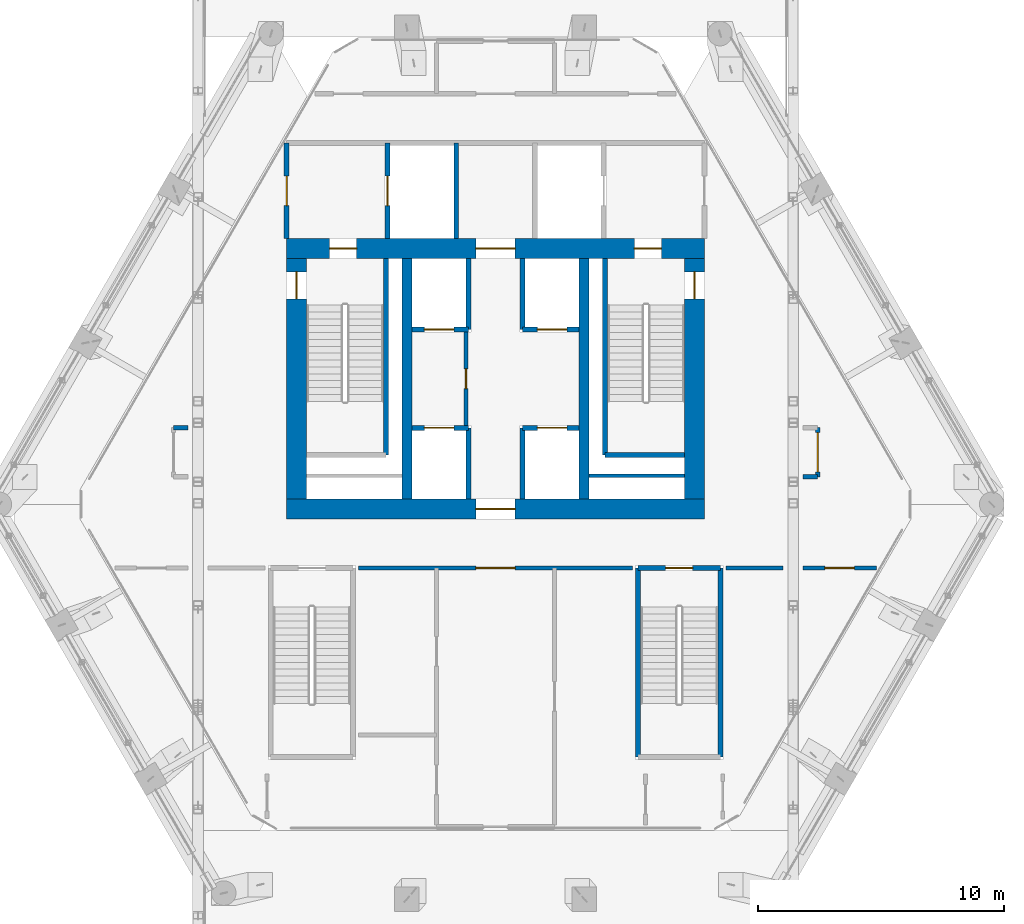
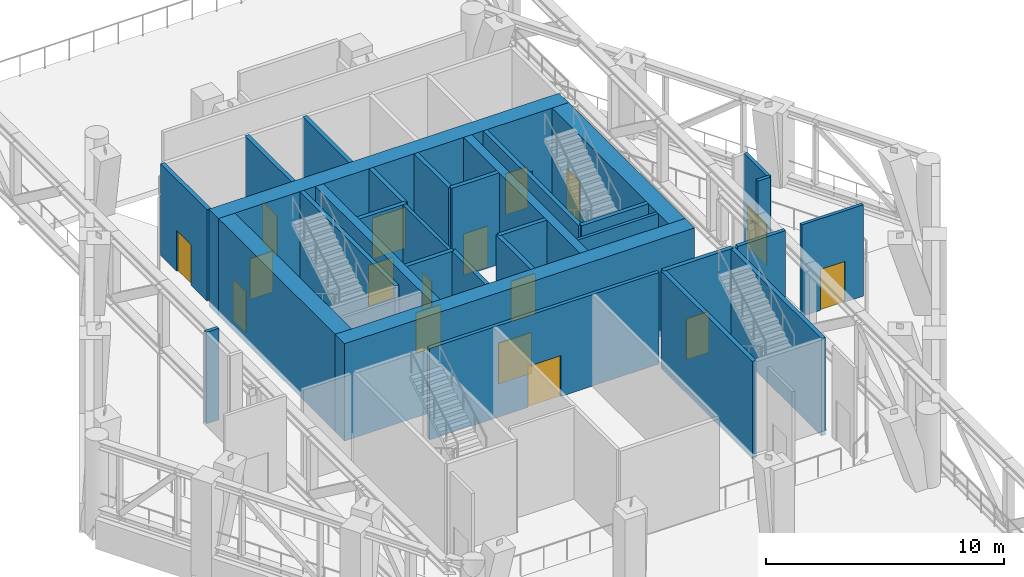
# One storey, part 10 of 22: 31 walls, 17 doors, 17 openings.
"""IFC4 building model written with IfcOpenShell, lengths in metres."""

from ifc_helpers import new_model, si_unit, direction, frame, frame_2d, origin, place, context, subcontext, project, spatial, rectangle, extrude, material, layer, layer_set, type_object, element, fill, save


model = new_model("IFC4")

# Units and contexts
model_context = context("Model", 3, precision=1e-05, world=origin(), true_north=direction((0.0, 1.0)))
body_context = subcontext(model_context, "Body", "Model", "MODEL_VIEW")
ifc_project = project(units=[si_unit("LENGTHUNIT", "METRE"), si_unit("AREAUNIT", "SQUARE_METRE"), si_unit("VOLUMEUNIT", "CUBIC_METRE"), si_unit("PLANEANGLEUNIT", "RADIAN"), si_unit("MASSUNIT", "GRAM", prefix="KILO")], contexts=[model_context])

# Site, building, storey
site_placement = place(None, origin())
site = spatial("IfcSite", under=ifc_project, at=site_placement, CompositionType="ELEMENT")
building_placement = place(site_placement, origin())
building = spatial("IfcBuilding", under=site, at=building_placement, Name="Ostrander Bayou Hotel Tower", CompositionType="ELEMENT")
storey_placement = place(building_placement, frame((0.0, 0.0, 209.5)))
storey = spatial("IfcBuildingStorey", under=building, at=storey_placement, Name="L52", CompositionType="ELEMENT", Elevation=209.5)

# Wall, opening, door
ifc_material_1 = material(Name="Concrete f'c 60 MPa", Category="concrete")
ifc_layer_1 = layer(ifc_material_1, 0.800048828125)
ifc_layer_set_1 = layer_set([ifc_layer_1], Name="CW7 core wall 800 mm f'c 60 MPa")
wall_type_1 = type_object("IfcWallType", Name="CW7 core wall 800 mm f'c 60 MPa", PredefinedType="SHEAR", material=ifc_layer_set_1)
wall_1_placement = place(storey_placement, frame((-8.5, -1.300048828125, -0.300048828125), z_axis=(0.0, 0.0, 1.0), x_axis=(1.0, 0.0, 0.0)))
wall_1 = element("IfcWall", 1, at=wall_1_placement, inside=storey, type_object=wall_type_1, Name="CW7 L52 S", PredefinedType="SHEAR", context=body_context, shape_type="SweptSolid", body=[
    extrude(rectangle(XDim=17.0, YDim=0.800048828125, at=frame_2d((8.5, 0.0))), origin(), (0.0, 0.0, 1.0), 5.0),
])
opening_1_placement = place(wall_1_placement, frame((7.699951171875, 0.0, 0.0)))
opening_1 = element("IfcOpeningElement", 2, at=opening_1_placement, cuts=wall_1, Name="Opening T52-005", PredefinedType="OPENING", context=body_context, shape_type="SweptSolid", body=[
    extrude(rectangle(XDim=1.60009765625, YDim=2.10009765625, at=frame_2d((0.800048828125, 1.050048828125))), frame((0.0, 0.39990234375, 0.0), z_axis=(0.0, -1.0, 0.0), x_axis=(1.0, 0.0, 0.0)), (0.0, 0.0, 1.0), 0.800048828125),
])
ifc_material_2 = material(Name="Timber door leaf", Category="wood")
door_type_1 = type_object("IfcDoorType", Name="D13 double door 1600 x 2100 mm, 1 hour", OperationType="SINGLE_SWING_LEFT", PredefinedType="DOOR", material=ifc_material_2)
door_1_placement = place(opening_1_placement, origin())
door_1 = element("IfcDoor", 3, at=door_1_placement, inside=storey, type_object=door_type_1, Name="dr:L52:005", OperationType="DOUBLE_DOOR_SINGLE_SWING", OverallHeight=2.10009765625, OverallWidth=1.60009765625, PredefinedType="DOOR", context=body_context, shape_type="SweptSolid", body=[
    extrude(rectangle(XDim=1.60009765625, YDim=2.10009765625, at=frame_2d((0.800048828125, 1.050048828125))), frame((0.0, 0.02490234375, 0.0), z_axis=(0.0, -1.0, 0.0), x_axis=(1.0, 0.0, 0.0)), (0.0, 0.0, 1.0), 0.050048828125),
])
fill(opening_1, door_1)

# Wall, openings, doors
wall_2_placement = place(storey_placement, frame((-8.5, 9.300048828125, -0.300048828125), z_axis=(0.0, 0.0, 1.0), x_axis=(1.0, 0.0, 0.0)))
wall_2 = element("IfcWall", 4, at=wall_2_placement, inside=storey, type_object=wall_type_1, Name="CW7 L52 N", PredefinedType="SHEAR", context=body_context, shape_type="SweptSolid", body=[
    extrude(rectangle(XDim=17.0, YDim=0.800048828125, at=frame_2d((8.5, 0.0))), origin(), (0.0, 0.0, 1.0), 5.0),
])
opening_2_placement = place(wall_2_placement, frame((7.699951171875, 0.0, 0.0)))
opening_2 = element("IfcOpeningElement", 5, at=opening_2_placement, cuts=wall_2, Name="Opening T52-006", PredefinedType="OPENING", context=body_context, shape_type="SweptSolid", body=[
    extrude(rectangle(XDim=1.60009765625, YDim=2.10009765625, at=frame_2d((0.800048828125, 1.050048828125))), frame((0.0, 0.39990234375, 0.0), z_axis=(0.0, -1.0, 0.0), x_axis=(1.0, 0.0, 0.0)), (0.0, 0.0, 1.0), 0.800048828125),
])
opening_3_placement = place(wall_2_placement, frame((1.75, 0.0, 0.0)))
opening_3 = element("IfcOpeningElement", 6, at=opening_3_placement, cuts=wall_2, Name="Opening T52-007", PredefinedType="OPENING", context=body_context, shape_type="SweptSolid", body=[
    extrude(rectangle(XDim=1.10009765625, YDim=2.10009765625, at=frame_2d((0.550048828125, 1.050048828125))), frame((0.0, 0.39990234375, 0.0), z_axis=(0.0, -1.0, 0.0), x_axis=(1.0, 0.0, 0.0)), (0.0, 0.0, 1.0), 0.800048828125),
])
opening_4_placement = place(wall_2_placement, frame((14.14990234375, 0.0, 0.0)))
opening_4 = element("IfcOpeningElement", 7, at=opening_4_placement, cuts=wall_2, Name="Opening T52-009", PredefinedType="OPENING", context=body_context, shape_type="SweptSolid", body=[
    extrude(rectangle(XDim=1.10009765625, YDim=2.10009765625, at=frame_2d((0.550048828125, 1.050048828125))), frame((0.0, 0.39990234375, 0.0), z_axis=(0.0, -1.0, 0.0), x_axis=(1.0, 0.0, 0.0)), (0.0, 0.0, 1.0), 0.800048828125),
])
door_2_placement = place(opening_2_placement, origin())
door_2 = element("IfcDoor", 8, at=door_2_placement, inside=storey, type_object=door_type_1, Name="dr:L52:006", OperationType="DOUBLE_DOOR_SINGLE_SWING", OverallHeight=2.10009765625, OverallWidth=1.60009765625, PredefinedType="DOOR", context=body_context, shape_type="SweptSolid", body=[
    extrude(rectangle(XDim=1.60009765625, YDim=2.10009765625, at=frame_2d((0.800048828125, 1.050048828125))), frame((0.0, 0.02490234375, 0.0), z_axis=(0.0, -1.0, 0.0), x_axis=(1.0, 0.0, 0.0)), (0.0, 0.0, 1.0), 0.050048828125),
])
fill(opening_2, door_2)
ifc_material_3 = material(Name="Timber door leaf", Category="wood")
door_type_2 = type_object("IfcDoorType", Name="D5 stair door 1100 x 2100 mm, 90 minute", OperationType="SINGLE_SWING_LEFT", PredefinedType="DOOR", material=ifc_material_3)
door_3_placement = place(opening_3_placement, origin())
door_3 = element("IfcDoor", 9, at=door_3_placement, inside=storey, type_object=door_type_2, Name="dr:L52:007", OperationType="SINGLE_SWING_LEFT", OverallHeight=2.10009765625, OverallWidth=1.10009765625, PredefinedType="DOOR", context=body_context, shape_type="SweptSolid", body=[
    extrude(rectangle(XDim=1.10009765625, YDim=2.10009765625, at=frame_2d((0.550048828125, 1.050048828125))), frame((0.0, 0.02490234375, 0.0), z_axis=(0.0, -1.0, 0.0), x_axis=(1.0, 0.0, 0.0)), (0.0, 0.0, 1.0), 0.050048828125),
])
fill(opening_3, door_3)
door_4_placement = place(opening_4_placement, origin())
door_4 = element("IfcDoor", 10, at=door_4_placement, inside=storey, type_object=door_type_2, Name="dr:L52:009", OperationType="SINGLE_SWING_RIGHT", OverallHeight=2.10009765625, OverallWidth=1.10009765625, PredefinedType="DOOR", context=body_context, shape_type="SweptSolid", body=[
    extrude(rectangle(XDim=1.10009765625, YDim=2.10009765625, at=frame_2d((0.550048828125, 1.050048828125))), frame((0.0, 0.02490234375, 0.0), z_axis=(0.0, -1.0, 0.0), x_axis=(1.0, 0.0, 0.0)), (0.0, 0.0, 1.0), 0.050048828125),
])
fill(opening_4, door_4)

# Wall, opening, door
ifc_material_4 = material(Name="Concrete f'c 60 MPa", Category="concrete")
ifc_layer_2 = layer(ifc_material_4, 0.800048828125)
ifc_layer_set_2 = layer_set([ifc_layer_2], Name="CW8 core spine wall 800 mm f'c 60 MPa")
wall_type_2 = type_object("IfcWallType", Name="CW8 core spine wall 800 mm f'c 60 MPa", PredefinedType="SHEAR", material=ifc_layer_set_2)
wall_3_placement = place(storey_placement, frame((-8.10009765625, -0.89990234375, -0.300048828125), z_axis=(0.0, 0.0, 1.0), x_axis=(0.0, 1.0, 0.0)))
wall_3 = element("IfcWall", 11, at=wall_3_placement, inside=storey, type_object=wall_type_2, Name="CW8 L52 W", PredefinedType="SHEAR", context=body_context, shape_type="SweptSolid", body=[
    extrude(rectangle(XDim=9.7998046875, YDim=0.800048828125, at=frame_2d((4.89990234375, 0.0))), origin(), (0.0, 0.0, 1.0), 5.0),
])
opening_5_placement = place(wall_3_placement, frame((8.14990234375, 0.0, 0.0)))
opening_5 = element("IfcOpeningElement", 12, at=opening_5_placement, cuts=wall_3, Name="Opening T52-008", PredefinedType="OPENING", context=body_context, shape_type="SweptSolid", body=[
    extrude(rectangle(XDim=1.10009765625, YDim=2.10009765625, at=frame_2d((0.550048828125, 1.050048828125))), frame((0.0, 0.39990234375, 0.0), z_axis=(0.0, -1.0, 0.0), x_axis=(1.0, 0.0, 0.0)), (0.0, 0.0, 1.0), 0.800048828125),
])
door_5_placement = place(opening_5_placement, origin())
door_5 = element("IfcDoor", 13, at=door_5_placement, inside=storey, type_object=door_type_2, Name="dr:L52:008", OperationType="SINGLE_SWING_RIGHT", OverallHeight=2.10009765625, OverallWidth=1.10009765625, PredefinedType="DOOR", context=body_context, shape_type="SweptSolid", body=[
    extrude(rectangle(XDim=1.10009765625, YDim=2.10009765625, at=frame_2d((0.550048828125, 1.050048828125))), frame((0.0, 0.02490234375, 0.0), z_axis=(0.0, -1.0, 0.0), x_axis=(1.0, 0.0, 0.0)), (0.0, 0.0, 1.0), 0.050048828125),
])
fill(opening_5, door_5)

wall_4_placement = place(storey_placement, frame((8.10009765625, -0.89990234375, -0.300048828125), z_axis=(0.0, 0.0, 1.0), x_axis=(0.0, 1.0, 0.0)))
wall_4 = element("IfcWall", 14, at=wall_4_placement, inside=storey, type_object=wall_type_2, Name="CW8 L52 E", PredefinedType="SHEAR", context=body_context, shape_type="SweptSolid", body=[
    extrude(rectangle(XDim=9.7998046875, YDim=0.800048828125, at=frame_2d((4.89990234375, 0.0))), origin(), (0.0, 0.0, 1.0), 5.0),
])
opening_6_placement = place(wall_4_placement, frame((8.14990234375, 0.0, 0.0)))
opening_6 = element("IfcOpeningElement", 15, at=opening_6_placement, cuts=wall_4, Name="Opening T52-010", PredefinedType="OPENING", context=body_context, shape_type="SweptSolid", body=[
    extrude(rectangle(XDim=1.10009765625, YDim=2.10009765625, at=frame_2d((0.550048828125, 1.050048828125))), frame((0.0, 0.39990234375, 0.0), z_axis=(0.0, -1.0, 0.0), x_axis=(1.0, 0.0, 0.0)), (0.0, 0.0, 1.0), 0.800048828125),
])
door_6_placement = place(opening_6_placement, origin())
door_6 = element("IfcDoor", 16, at=door_6_placement, inside=storey, type_object=door_type_2, Name="dr:L52:010", OperationType="SINGLE_SWING_LEFT", OverallHeight=2.10009765625, OverallWidth=1.10009765625, PredefinedType="DOOR", context=body_context, shape_type="SweptSolid", body=[
    extrude(rectangle(XDim=1.10009765625, YDim=2.10009765625, at=frame_2d((0.550048828125, 1.050048828125))), frame((0.0, 0.02490234375, 0.0), z_axis=(0.0, -1.0, 0.0), x_axis=(1.0, 0.0, 0.0)), (0.0, 0.0, 1.0), 0.050048828125),
])
fill(opening_6, door_6)

# Walls
ifc_material_5 = material(Name="Concrete f'c 60 MPa", Category="concrete")
ifc_layer_3 = layer(ifc_material_5, 0.39990234375)
ifc_layer_set_3 = layer_set([ifc_layer_3], Name="CW9 core bank wall 400 mm f'c 60 MPa")
wall_type_3 = type_object("IfcWallType", Name="CW9 core bank wall 400 mm f'c 60 MPa", PredefinedType="SHEAR", material=ifc_layer_set_3)
for number, where, z_axis, x_axis, name in (
    (17, (-3.60009765625, -0.89990234375, -0.300048828125), (0.0, 0.0, 1.0), (0.0, 1.0, 0.0), "CW9 L52 CW"),
    (18, (3.60009765625, -0.89990234375, -0.300048828125), (0.0, 0.0, 1.0), (0.0, 1.0, 0.0), "CW9 L52 CE"),
):
    element("IfcWall", number, at=place(storey_placement, frame(where, z_axis=z_axis, x_axis=x_axis)), inside=storey, type_object=wall_type_3, Name=name, PredefinedType="SHEAR", context=body_context, shape_type="SweptSolid", body=[
        extrude(rectangle(XDim=9.7998046875, YDim=0.39990234375, at=frame_2d((4.89990234375, 0.0))), origin(), (0.0, 0.0, 1.0), 5.0),
    ])

# Wall, opening, door
ifc_material_6 = material(Name="Gypsum board partition", Category="finish")
ifc_layer_4 = layer(ifc_material_6, 0.175048828125)
ifc_layer_set_4 = layer_set([ifc_layer_4], Name="PT4 corridor wall 175 mm, 1 hour")
wall_type_4 = type_object("IfcWallType", Name="PT4 corridor wall 175 mm, 1 hour", PredefinedType="PARTITIONING", material=ifc_layer_set_4)
wall_5_placement = place(storey_placement, frame((-5.570068359375, -3.699951171875, 0.0), z_axis=(0.0, 0.0, 1.0), x_axis=(1.0, 0.0, 0.0)))
wall_5 = element("IfcWall", 19, at=wall_5_placement, inside=storey, type_object=wall_type_4, Name="sw:L52:002", PredefinedType="PARTITIONING", context=body_context, shape_type="SweptSolid", body=[
    extrude(rectangle(XDim=11.14013671875, YDim=0.175048828125, at=frame_2d((5.570068359375, 0.0))), origin(), (0.0, 0.0, 1.0), 4.699951171875),
])
opening_7_placement = place(wall_5_placement, frame((4.77001953125, 0.0, 0.0)))
opening_7 = element("IfcOpeningElement", 20, at=opening_7_placement, cuts=wall_5, Name="Opening T52-200", PredefinedType="OPENING", context=body_context, shape_type="SweptSolid", body=[
    extrude(rectangle(XDim=1.60009765625, YDim=2.10009765625, at=frame_2d((0.800048828125, 1.050048828125))), frame((0.0, 0.08740234375, 0.0), z_axis=(0.0, -1.0, 0.0), x_axis=(1.0, 0.0, 0.0)), (0.0, 0.0, 1.0), 0.175048828125),
])
door_7_placement = place(opening_7_placement, origin())
door_7 = element("IfcDoor", 21, at=door_7_placement, inside=storey, type_object=door_type_1, Name="dr:L52:200", OperationType="DOUBLE_DOOR_SINGLE_SWING", OverallHeight=2.10009765625, OverallWidth=1.60009765625, PredefinedType="DOOR", context=body_context, shape_type="SweptSolid", body=[
    extrude(rectangle(XDim=1.60009765625, YDim=2.10009765625, at=frame_2d((0.800048828125, 1.050048828125))), frame((0.0, 0.02490234375, 0.0), z_axis=(0.0, -1.0, 0.0), x_axis=(1.0, 0.0, 0.0)), (0.0, 0.0, 1.0), 0.050048828125),
])
fill(opening_7, door_7)

# Walls
wall_6_placement = place(storey_placement, frame((9.3798828125, -3.699951171875, 0.0), z_axis=(0.0, 0.0, 1.0), x_axis=(1.0, 0.0, 0.0)))
element("IfcWall", 22, at=wall_6_placement, inside=storey, type_object=wall_type_4, Name="sw:L52:003", PredefinedType="PARTITIONING", context=body_context, shape_type="SweptSolid", body=[
    extrude(rectangle(XDim=2.330078125, YDim=0.175048828125, at=frame_2d((1.1650390625, 0.0))), origin(), (0.0, 0.0, 1.0), 4.699951171875),
])
for number, where, z_axis, x_axis, name in (
    (23, (12.510009765625, 0.010009765625, 0.0), (0.0, 0.0, 1.0), (1.0, 0.0, 0.0), "sw:L52:005"),
    (24, (-13.110107421875, 2.010009765625, 0.0), (0.0, 0.0, 1.0), (1.0, 0.0, 0.0), "sw:L52:006"),
):
    element("IfcWall", number, at=place(storey_placement, frame(where, z_axis=z_axis, x_axis=x_axis)), inside=storey, type_object=wall_type_4, Name=name, PredefinedType="PARTITIONING", context=body_context, shape_type="SweptSolid", body=[
        extrude(rectangle(XDim=0.60009765625, YDim=0.175048828125, at=frame_2d((0.300048828125, 0.0))), origin(), (0.0, 0.0, 1.0), 4.699951171875),
    ])

# Wall, opening, door
wall_7_placement = place(storey_placement, frame((13.110107421875, 0.010498046875, 0.0), z_axis=(0.0, 0.0, 1.0), x_axis=(0.0, 1.0, 0.0)))
wall_7 = element("IfcWall", 25, at=wall_7_placement, inside=storey, type_object=wall_type_4, Name="sw:L52:014", PredefinedType="PARTITIONING", context=body_context, shape_type="SweptSolid", body=[
    extrude(rectangle(XDim=2.0, YDim=0.175048828125, at=frame_2d((1.0, 0.0))), origin(), (0.0, 0.0, 1.0), 4.699951171875),
])
opening_8_placement = place(wall_7_placement, frame((0.199951171875, 0.0, 0.0)))
opening_8 = element("IfcOpeningElement", 26, at=opening_8_placement, cuts=wall_7, Name="Opening T52-203", PredefinedType="OPENING", context=body_context, shape_type="SweptSolid", body=[
    extrude(rectangle(XDim=1.60009765625, YDim=2.10009765625, at=frame_2d((0.800048828125, 1.050048828125))), frame((0.0, 0.08740234375, 0.0), z_axis=(0.0, -1.0, 0.0), x_axis=(1.0, 0.0, 0.0)), (0.0, 0.0, 1.0), 0.175048828125),
])
door_8_placement = place(opening_8_placement, origin())
door_8 = element("IfcDoor", 27, at=door_8_placement, inside=storey, type_object=door_type_1, Name="dr:L52:203", OperationType="DOUBLE_DOOR_SINGLE_SWING", OverallHeight=2.10009765625, OverallWidth=1.60009765625, PredefinedType="DOOR", context=body_context, shape_type="SweptSolid", body=[
    extrude(rectangle(XDim=1.60009765625, YDim=2.10009765625, at=frame_2d((0.800048828125, 1.050048828125))), frame((0.0, 0.02490234375, 0.0), z_axis=(0.0, -1.0, 0.0), x_axis=(1.0, 0.0, 0.0)), (0.0, 0.0, 1.0), 0.050048828125),
])
fill(opening_8, door_8)

ifc_material_7 = material(Name="Masonry block", Category="masonry")
ifc_layer_5 = layer(ifc_material_7, 0.199951171875)
ifc_layer_set_5 = layer_set([ifc_layer_5], Name="PT5 stair enclosure wall 200 mm masonry, 2 hour")
wall_type_5 = type_object("IfcWallType", Name="PT5 stair enclosure wall 200 mm masonry, 2 hour", PredefinedType="PARTITIONING", material=ifc_layer_set_5)
wall_8_placement = place(storey_placement, frame((-8.5, 9.699951171875, 0.0), z_axis=(0.0, 0.0, 1.0), x_axis=(0.0, 1.0, 0.0)))
wall_8 = element("IfcWall", 28, at=wall_8_placement, inside=storey, type_object=wall_type_5, Name="cs:L52:024", PredefinedType="PARTITIONING", context=body_context, shape_type="SweptSolid", body=[
    extrude(rectangle(XDim=3.900146484375, YDim=0.199951171875, at=frame_2d((1.9501953125, 0.0))), origin(), (0.0, 0.0, 1.0), 4.699951171875),
])
opening_9_placement = place(wall_8_placement, frame((1.35009765625, 0.0, 0.0)))
opening_9 = element("IfcOpeningElement", 29, at=opening_9_placement, cuts=wall_8, Name="Opening T52-014", PredefinedType="OPENING", context=body_context, shape_type="SweptSolid", body=[
    extrude(rectangle(XDim=1.199951171875, YDim=2.10009765625, at=frame_2d((0.60009765625, 1.050048828125))), frame((0.0, 0.10009765625, 0.0), z_axis=(0.0, -1.0, 0.0), x_axis=(1.0, 0.0, 0.0)), (0.0, 0.0, 1.0), 0.199951171875),
])
ifc_material_8 = material(Name="Timber door leaf", Category="wood")
door_type_3 = type_object("IfcDoorType", Name="D7 lobby door 1200 x 2100 mm, 1 hour", OperationType="SINGLE_SWING_LEFT", PredefinedType="DOOR", material=ifc_material_8)
door_9_placement = place(opening_9_placement, origin())
door_9 = element("IfcDoor", 30, at=door_9_placement, inside=storey, type_object=door_type_3, Name="dr:L52:014", OperationType="SINGLE_SWING_LEFT", OverallHeight=2.10009765625, OverallWidth=1.199951171875, PredefinedType="DOOR", context=body_context, shape_type="SweptSolid", body=[
    extrude(rectangle(XDim=1.199951171875, YDim=2.10009765625, at=frame_2d((0.60009765625, 1.050048828125))), frame((0.0, 0.02490234375, 0.0), z_axis=(0.0, -1.0, 0.0), x_axis=(1.0, 0.0, 0.0)), (0.0, 0.0, 1.0), 0.050048828125),
])
fill(opening_9, door_9)

wall_9_placement = place(storey_placement, frame((-4.39990234375, 9.699951171875, 0.0), z_axis=(0.0, 0.0, 1.0), x_axis=(0.0, 1.0, 0.0)))
wall_9 = element("IfcWall", 31, at=wall_9_placement, inside=storey, type_object=wall_type_5, Name="cs:L52:026", PredefinedType="PARTITIONING", context=body_context, shape_type="SweptSolid", body=[
    extrude(rectangle(XDim=3.900146484375, YDim=0.199951171875, at=frame_2d((1.9501953125, 0.0))), origin(), (0.0, 0.0, 1.0), 4.699951171875),
])
opening_10_placement = place(wall_9_placement, frame((1.35009765625, 0.0, 0.0)))
opening_10 = element("IfcOpeningElement", 32, at=opening_10_placement, cuts=wall_9, Name="Opening T52-013", PredefinedType="OPENING", context=body_context, shape_type="SweptSolid", body=[
    extrude(rectangle(XDim=1.199951171875, YDim=2.10009765625, at=frame_2d((0.60009765625, 1.050048828125))), frame((0.0, 0.10009765625, 0.0), z_axis=(0.0, -1.0, 0.0), x_axis=(1.0, 0.0, 0.0)), (0.0, 0.0, 1.0), 0.199951171875),
])
ifc_material_9 = material(Name="Stainless steel sliding door", Category="steel")
door_type_4 = type_object("IfcDoorType", Name="LD1 lift landing door 1200 x 2100 mm", OperationType="SINGLE_SWING_LEFT", PredefinedType="DOOR", material=ifc_material_9)
door_10_placement = place(opening_10_placement, origin())
door_10 = element("IfcDoor", 33, at=door_10_placement, inside=storey, type_object=door_type_4, Name="dr:L52:013", OperationType="SLIDING_TO_LEFT", OverallHeight=2.10009765625, OverallWidth=1.199951171875, PredefinedType="DOOR", context=body_context, shape_type="SweptSolid", body=[
    extrude(rectangle(XDim=1.199951171875, YDim=2.10009765625, at=frame_2d((0.60009765625, 1.050048828125))), frame((0.0, 0.02490234375, 0.0), z_axis=(0.0, -1.0, 0.0), x_axis=(1.0, 0.0, 0.0)), (0.0, 0.0, 1.0), 0.050048828125),
])
fill(opening_10, door_10)

ifc_material_10 = material(Name="Masonry block", Category="masonry")
ifc_layer_6 = layer(ifc_material_10, 0.199951171875)
ifc_layer_set_6 = layer_set([ifc_layer_6], Name="PT6 lift shaft wall 200 mm masonry, 2 hour")
wall_type_6 = type_object("IfcWallType", Name="PT6 lift shaft wall 200 mm masonry, 2 hour", PredefinedType="PARTITIONING", material=ifc_layer_set_6)
wall_10_placement = place(storey_placement, frame((-3.39990234375, 2.0, 0.0), z_axis=(0.0, 0.0, 1.0), x_axis=(1.0, 0.0, 0.0)))
wall_10 = element("IfcWall", 34, at=wall_10_placement, inside=storey, type_object=wall_type_6, Name="cs:L52:001", PredefinedType="PARTITIONING", context=body_context, shape_type="SweptSolid", body=[
    extrude(rectangle(XDim=2.2998046875, YDim=0.199951171875, at=frame_2d((1.14990234375, 0.0))), origin(), (0.0, 0.0, 1.0), 4.699951171875),
])
opening_11_placement = place(wall_10_placement, frame((0.5, 0.0, 0.0)))
opening_11 = element("IfcOpeningElement", 35, at=opening_11_placement, cuts=wall_10, Name="Opening T52-001", PredefinedType="OPENING", context=body_context, shape_type="SweptSolid", body=[
    extrude(rectangle(XDim=1.199951171875, YDim=2.10009765625, at=frame_2d((0.60009765625, 1.050048828125))), frame((0.0, 0.10009765625, 0.0), z_axis=(0.0, -1.0, 0.0), x_axis=(1.0, 0.0, 0.0)), (0.0, 0.0, 1.0), 0.199951171875),
])
door_11_placement = place(opening_11_placement, origin())
door_11 = element("IfcDoor", 36, at=door_11_placement, inside=storey, type_object=door_type_4, Name="dr:L52:001", OperationType="SLIDING_TO_LEFT", OverallHeight=2.10009765625, OverallWidth=1.199951171875, PredefinedType="DOOR", context=body_context, shape_type="SweptSolid", body=[
    extrude(rectangle(XDim=1.199951171875, YDim=2.10009765625, at=frame_2d((0.60009765625, 1.050048828125))), frame((0.0, 0.02490234375, 0.0), z_axis=(0.0, -1.0, 0.0), x_axis=(1.0, 0.0, 0.0)), (0.0, 0.0, 1.0), 0.050048828125),
])
fill(opening_11, door_11)

wall_11_placement = place(storey_placement, frame((-3.39990234375, 6.0, 0.0), z_axis=(0.0, 0.0, 1.0), x_axis=(1.0, 0.0, 0.0)))
wall_11 = element("IfcWall", 37, at=wall_11_placement, inside=storey, type_object=wall_type_6, Name="cs:L52:002", PredefinedType="PARTITIONING", context=body_context, shape_type="SweptSolid", body=[
    extrude(rectangle(XDim=2.2998046875, YDim=0.199951171875, at=frame_2d((1.14990234375, 0.0))), origin(), (0.0, 0.0, 1.0), 4.699951171875),
])
opening_12_placement = place(wall_11_placement, frame((0.5, 0.0, 0.0)))
opening_12 = element("IfcOpeningElement", 38, at=opening_12_placement, cuts=wall_11, Name="Opening T52-003", PredefinedType="OPENING", context=body_context, shape_type="SweptSolid", body=[
    extrude(rectangle(XDim=1.199951171875, YDim=2.10009765625, at=frame_2d((0.60009765625, 1.050048828125))), frame((0.0, 0.10009765625, 0.0), z_axis=(0.0, -1.0, 0.0), x_axis=(1.0, 0.0, 0.0)), (0.0, 0.0, 1.0), 0.199951171875),
])
door_12_placement = place(opening_12_placement, origin())
door_12 = element("IfcDoor", 39, at=door_12_placement, inside=storey, type_object=door_type_4, Name="dr:L52:003", OperationType="SLIDING_TO_LEFT", OverallHeight=2.10009765625, OverallWidth=1.199951171875, PredefinedType="DOOR", context=body_context, shape_type="SweptSolid", body=[
    extrude(rectangle(XDim=1.199951171875, YDim=2.10009765625, at=frame_2d((0.60009765625, 1.050048828125))), frame((0.0, 0.02490234375, 0.0), z_axis=(0.0, -1.0, 0.0), x_axis=(1.0, 0.0, 0.0)), (0.0, 0.0, 1.0), 0.050048828125),
])
fill(opening_12, door_12)

wall_12_placement = place(storey_placement, frame((1.10009765625, 2.0, 0.0), z_axis=(0.0, 0.0, 1.0), x_axis=(1.0, 0.0, 0.0)))
wall_12 = element("IfcWall", 40, at=wall_12_placement, inside=storey, type_object=wall_type_6, Name="cs:L52:003", PredefinedType="PARTITIONING", context=body_context, shape_type="SweptSolid", body=[
    extrude(rectangle(XDim=2.2998046875, YDim=0.199951171875, at=frame_2d((1.14990234375, 0.0))), origin(), (0.0, 0.0, 1.0), 4.699951171875),
])
opening_13_placement = place(wall_12_placement, frame((0.60009765625, 0.0, 0.0)))
opening_13 = element("IfcOpeningElement", 41, at=opening_13_placement, cuts=wall_12, Name="Opening T52-002", PredefinedType="OPENING", context=body_context, shape_type="SweptSolid", body=[
    extrude(rectangle(XDim=1.199951171875, YDim=2.10009765625, at=frame_2d((0.60009765625, 1.050048828125))), frame((0.0, 0.10009765625, 0.0), z_axis=(0.0, -1.0, 0.0), x_axis=(1.0, 0.0, 0.0)), (0.0, 0.0, 1.0), 0.199951171875),
])
door_13_placement = place(opening_13_placement, origin())
door_13 = element("IfcDoor", 42, at=door_13_placement, inside=storey, type_object=door_type_4, Name="dr:L52:002", OperationType="SLIDING_TO_LEFT", OverallHeight=2.10009765625, OverallWidth=1.199951171875, PredefinedType="DOOR", context=body_context, shape_type="SweptSolid", body=[
    extrude(rectangle(XDim=1.199951171875, YDim=2.10009765625, at=frame_2d((0.60009765625, 1.050048828125))), frame((0.0, 0.02490234375, 0.0), z_axis=(0.0, -1.0, 0.0), x_axis=(1.0, 0.0, 0.0)), (0.0, 0.0, 1.0), 0.050048828125),
])
fill(opening_13, door_13)

wall_13_placement = place(storey_placement, frame((1.10009765625, 6.0, 0.0), z_axis=(0.0, 0.0, 1.0), x_axis=(1.0, 0.0, 0.0)))
wall_13 = element("IfcWall", 43, at=wall_13_placement, inside=storey, type_object=wall_type_6, Name="cs:L52:004", PredefinedType="PARTITIONING", context=body_context, shape_type="SweptSolid", body=[
    extrude(rectangle(XDim=2.2998046875, YDim=0.199951171875, at=frame_2d((1.14990234375, 0.0))), origin(), (0.0, 0.0, 1.0), 4.699951171875),
])
opening_14_placement = place(wall_13_placement, frame((0.60009765625, 0.0, 0.0)))
opening_14 = element("IfcOpeningElement", 44, at=opening_14_placement, cuts=wall_13, Name="Opening T52-004", PredefinedType="OPENING", context=body_context, shape_type="SweptSolid", body=[
    extrude(rectangle(XDim=1.199951171875, YDim=2.10009765625, at=frame_2d((0.60009765625, 1.050048828125))), frame((0.0, 0.10009765625, 0.0), z_axis=(0.0, -1.0, 0.0), x_axis=(1.0, 0.0, 0.0)), (0.0, 0.0, 1.0), 0.199951171875),
])
door_14_placement = place(opening_14_placement, origin())
door_14 = element("IfcDoor", 45, at=door_14_placement, inside=storey, type_object=door_type_4, Name="dr:L52:004", OperationType="SLIDING_TO_LEFT", OverallHeight=2.10009765625, OverallWidth=1.199951171875, PredefinedType="DOOR", context=body_context, shape_type="SweptSolid", body=[
    extrude(rectangle(XDim=1.199951171875, YDim=2.10009765625, at=frame_2d((0.60009765625, 1.050048828125))), frame((0.0, 0.02490234375, 0.0), z_axis=(0.0, -1.0, 0.0), x_axis=(1.0, 0.0, 0.0)), (0.0, 0.0, 1.0), 0.050048828125),
])
fill(opening_14, door_14)

# Walls
for number, where, z_axis, x_axis, name in (
    (46, (-1.10009765625, -0.89990234375, 0.0), (0.0, 0.0, 1.0), (0.0, 1.0, 0.0), "cs:L52:005"),
    (47, (1.10009765625, -0.89990234375, 0.0), (0.0, 0.0, 1.0), (0.0, 1.0, 0.0), "cs:L52:006"),
    (48, (-1.10009765625, 6.0, 0.0), (0.0, 0.0, 1.0), (0.0, 1.0, 0.0), "cs:L52:007"),
    (49, (1.10009765625, 6.0, 0.0), (0.0, 0.0, 1.0), (0.0, 1.0, 0.0), "cs:L52:008"),
):
    element("IfcWall", number, at=place(storey_placement, frame(where, z_axis=z_axis, x_axis=x_axis)), inside=storey, type_object=wall_type_6, Name=name, PredefinedType="PARTITIONING", context=body_context, shape_type="SweptSolid", body=[
        extrude(rectangle(XDim=2.89990234375, YDim=0.199951171875, at=frame_2d((1.449951171875, 0.0))), origin(), (0.0, 0.0, 1.0), 4.699951171875),
    ])
wall_14_placement = place(storey_placement, frame((-1.60009765625, 9.699951171875, 0.0), z_axis=(0.0, 0.0, 1.0), x_axis=(0.0, 1.0, 0.0)))
element("IfcWall", 50, at=wall_14_placement, inside=storey, type_object=wall_type_6, Name="cs:L52:028", PredefinedType="PARTITIONING", context=body_context, shape_type="SweptSolid", body=[
    extrude(rectangle(XDim=3.900146484375, YDim=0.199951171875, at=frame_2d((1.9501953125, 0.0))), origin(), (0.0, 0.0, 1.0), 4.699951171875),
])
ifc_material_11 = material(Name="Gypsum board partition", Category="finish")
ifc_layer_7 = layer(ifc_material_11, 0.14990234375)
ifc_layer_set_7 = layer_set([ifc_layer_7], Name="PT7 riser wall 150 mm, 2 hour")
wall_type_7 = type_object("IfcWallType", Name="PT7 riser wall 150 mm, 2 hour", PredefinedType="PARTITIONING", material=ifc_layer_set_7)
wall_15_placement = place(storey_placement, frame((3.800048828125, 0.050048828125, 0.0), z_axis=(0.0, 0.0, 1.0), x_axis=(1.0, 0.0, 0.0)))
element("IfcWall", 51, at=wall_15_placement, inside=storey, type_object=wall_type_7, Name="cs:L52:014", PredefinedType="PARTITIONING", context=body_context, shape_type="SweptSolid", body=[
    extrude(rectangle(XDim=3.89990234375, YDim=0.14990234375, at=frame_2d((1.949951171875, 0.0))), origin(), (0.0, 0.0, 1.0), 4.699951171875),
])

# Wall, opening, door
wall_16_placement = place(storey_placement, frame((-1.199951171875, 2.10009765625, 0.0), z_axis=(0.0, 0.0, 1.0), x_axis=(0.0, 1.0, 0.0)))
wall_16 = element("IfcWall", 52, at=wall_16_placement, inside=storey, type_object=wall_type_7, Name="cs:L52:030", PredefinedType="PARTITIONING", context=body_context, shape_type="SweptSolid", body=[
    extrude(rectangle(XDim=3.7998046875, YDim=0.14990234375, at=frame_2d((1.89990234375, 0.0))), origin(), (0.0, 0.0, 1.0), 4.699951171875),
])
opening_15_placement = place(wall_16_placement, frame((1.5, 0.0, 0.0)))
opening_15 = element("IfcOpeningElement", 53, at=opening_15_placement, cuts=wall_16, Name="Opening T52-017", PredefinedType="OPENING", context=body_context, shape_type="SweptSolid", body=[
    extrude(rectangle(XDim=0.800048828125, YDim=2.10009765625, at=frame_2d((0.39990234375, 1.050048828125))), frame((0.0, 0.074951171875, 0.0), z_axis=(0.0, -1.0, 0.0), x_axis=(1.0, 0.0, 0.0)), (0.0, 0.0, 1.0), 0.14990234375),
])
ifc_material_12 = material(Name="Timber door leaf", Category="wood")
door_type_5 = type_object("IfcDoorType", Name="D6 riser door 800 x 2100 mm, 90 minute", OperationType="SINGLE_SWING_LEFT", PredefinedType="DOOR", material=ifc_material_12)
door_15_placement = place(opening_15_placement, origin())
door_15 = element("IfcDoor", 54, at=door_15_placement, inside=storey, type_object=door_type_5, Name="dr:L52:017", OperationType="SINGLE_SWING_LEFT", OverallHeight=2.10009765625, OverallWidth=0.800048828125, PredefinedType="DOOR", context=body_context, shape_type="SweptSolid", body=[
    extrude(rectangle(XDim=0.800048828125, YDim=2.10009765625, at=frame_2d((0.39990234375, 1.050048828125))), frame((0.0, 0.02490234375, 0.0), z_axis=(0.0, -1.0, 0.0), x_axis=(1.0, 0.0, 0.0)), (0.0, 0.0, 1.0), 0.050048828125),
])
fill(opening_15, door_15)

wall_17_placement = place(storey_placement, frame((12.510009765625, -3.699951171875, 0.0), z_axis=(0.0, 0.0, 1.0), x_axis=(1.0, 0.0, 0.0)))
wall_17 = element("IfcWall", 55, at=wall_17_placement, inside=storey, type_object=wall_type_7, Name="sw:L52:017", PredefinedType="PARTITIONING", context=body_context, shape_type="SweptSolid", body=[
    extrude(rectangle(XDim=2.986083984375, YDim=0.14990234375, at=frame_2d((1.4931640625, 0.0))), origin(), (0.0, 0.0, 1.0), 4.699951171875),
])
opening_16_placement = place(wall_17_placement, frame((0.89306640625, 0.0, 0.0)))
opening_16 = element("IfcOpeningElement", 56, at=opening_16_placement, cuts=wall_17, Name="Opening T52-205", PredefinedType="OPENING", context=body_context, shape_type="SweptSolid", body=[
    extrude(rectangle(XDim=1.199951171875, YDim=2.10009765625, at=frame_2d((0.60009765625, 1.050048828125))), frame((0.0, 0.074951171875, 0.0), z_axis=(0.0, -1.0, 0.0), x_axis=(1.0, 0.0, 0.0)), (0.0, 0.0, 1.0), 0.14990234375),
])
ifc_material_13 = material(Name="Timber door leaf", Category="wood")
door_type_6 = type_object("IfcDoorType", Name="D10 plant room door 1200 x 2100 mm, 1 hour", OperationType="SINGLE_SWING_LEFT", PredefinedType="DOOR", material=ifc_material_13)
door_16_placement = place(opening_16_placement, origin())
door_16 = element("IfcDoor", 57, at=door_16_placement, inside=storey, type_object=door_type_6, Name="dr:L52:205", OperationType="SINGLE_SWING_LEFT", OverallHeight=2.10009765625, OverallWidth=1.199951171875, PredefinedType="DOOR", context=body_context, shape_type="SweptSolid", body=[
    extrude(rectangle(XDim=1.199951171875, YDim=2.10009765625, at=frame_2d((0.60009765625, 1.050048828125))), frame((0.0, 0.02490234375, 0.0), z_axis=(0.0, -1.0, 0.0), x_axis=(1.0, 0.0, 0.0)), (0.0, 0.0, 1.0), 0.050048828125),
])
fill(opening_16, door_16)

# Walls
ifc_material_14 = material(Name="Concrete f'c 45 MPa", Category="concrete")
ifc_layer_8 = layer(ifc_material_14, 0.199951171875)
ifc_layer_set_8 = layer_set([ifc_layer_8], Name="SW5 stair enclosure wall 200 mm f'c 45 MPa")
wall_type_8 = type_object("IfcWallType", Name="SW5 stair enclosure wall 200 mm f'c 45 MPa", PredefinedType="SOLIDWALL", material=ifc_layer_set_8)
for number, where, z_axis, x_axis, name in (
    (58, (-4.449951171875, 0.89990234375, -0.300048828125), (0.0, 0.0, 1.0), (0.0, 1.0, 0.0), "cs:L52:009"),
    (59, (4.449951171875, 0.89990234375, -0.300048828125), (0.0, 0.0, 1.0), (0.0, 1.0, 0.0), "cs:L52:012"),
):
    element("IfcWall", number, at=place(storey_placement, frame(where, z_axis=z_axis, x_axis=x_axis)), inside=storey, type_object=wall_type_8, Name=name, PredefinedType="SOLIDWALL", context=body_context, shape_type="SweptSolid", body=[
        extrude(rectangle(XDim=8.0, YDim=0.199951171875, at=frame_2d((4.0, 0.0))), origin(), (0.0, 0.0, 1.0), 5.0),
    ])
wall_18_placement = place(storey_placement, frame((4.449951171875, 0.89990234375, -0.300048828125), z_axis=(0.0, 0.0, 1.0), x_axis=(1.0, 0.0, 0.0)))
element("IfcWall", 60, at=wall_18_placement, inside=storey, type_object=wall_type_8, Name="cs:L52:013", PredefinedType="SOLIDWALL", context=body_context, shape_type="SweptSolid", body=[
    extrude(rectangle(XDim=3.25, YDim=0.199951171875, at=frame_2d((1.625, 0.0))), origin(), (0.0, 0.0, 1.0), 5.0),
])

# Wall, opening, door
wall_19_placement = place(storey_placement, frame((5.800048828125, -3.699951171875, -0.300048828125), z_axis=(0.0, 0.0, 1.0), x_axis=(1.0, 0.0, 0.0)))
wall_19 = element("IfcWall", 61, at=wall_19_placement, inside=storey, type_object=wall_type_8, Name="cs:L52:015", PredefinedType="SOLIDWALL", context=body_context, shape_type="SweptSolid", body=[
    extrude(rectangle(XDim=3.349853515625, YDim=0.199951171875, at=frame_2d((1.6748046875, 0.0))), origin(), (0.0, 0.0, 1.0), 5.0),
])
opening_17_placement = place(wall_19_placement, frame((1.125, 0.0, 0.0)))
opening_17 = element("IfcOpeningElement", 62, at=opening_17_placement, cuts=wall_19, Name="Opening T52-011", PredefinedType="OPENING", context=body_context, shape_type="SweptSolid", body=[
    extrude(rectangle(XDim=1.10009765625, YDim=2.10009765625, at=frame_2d((0.550048828125, 1.050048828125))), frame((0.0, 0.10009765625, 0.0), z_axis=(0.0, -1.0, 0.0), x_axis=(1.0, 0.0, 0.0)), (0.0, 0.0, 1.0), 0.199951171875),
])
door_17_placement = place(opening_17_placement, origin())
door_17 = element("IfcDoor", 63, at=door_17_placement, inside=storey, type_object=door_type_2, Name="dr:L52:011", OperationType="SINGLE_SWING_LEFT", OverallHeight=2.10009765625, OverallWidth=1.10009765625, PredefinedType="DOOR", context=body_context, shape_type="SweptSolid", body=[
    extrude(rectangle(XDim=1.10009765625, YDim=2.10009765625, at=frame_2d((0.550048828125, 1.050048828125))), frame((0.0, 0.02490234375, 0.0), z_axis=(0.0, -1.0, 0.0), x_axis=(1.0, 0.0, 0.0)), (0.0, 0.0, 1.0), 0.050048828125),
])
fill(opening_17, door_17)

# Walls
for number, where, z_axis, x_axis, name in (
    (64, (5.800048828125, -3.699951171875, -0.300048828125), (0.0, 0.0, 1.0), (0.0, -1.0, 0.0), "cs:L52:016"),
    (65, (9.14990234375, -3.699951171875, -0.300048828125), (0.0, 0.0, 1.0), (0.0, -1.0, 0.0), "cs:L52:017"),
):
    element("IfcWall", number, at=place(storey_placement, frame(where, z_axis=z_axis, x_axis=x_axis)), inside=storey, type_object=wall_type_8, Name=name, PredefinedType="SOLIDWALL", context=body_context, shape_type="SweptSolid", body=[
        extrude(rectangle(XDim=7.699951171875, YDim=0.199951171875, at=frame_2d((3.85009765625, 0.0))), origin(), (0.0, 0.0, 1.0), 5.0),
    ])

save(model, "model.ifc")
